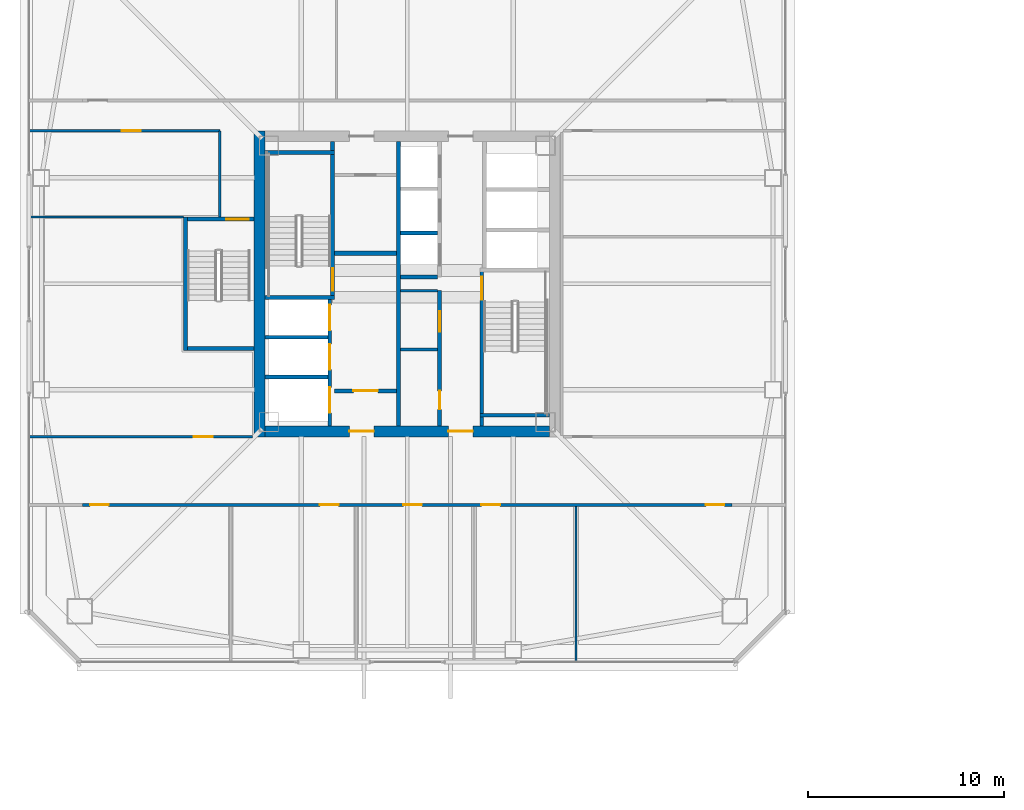
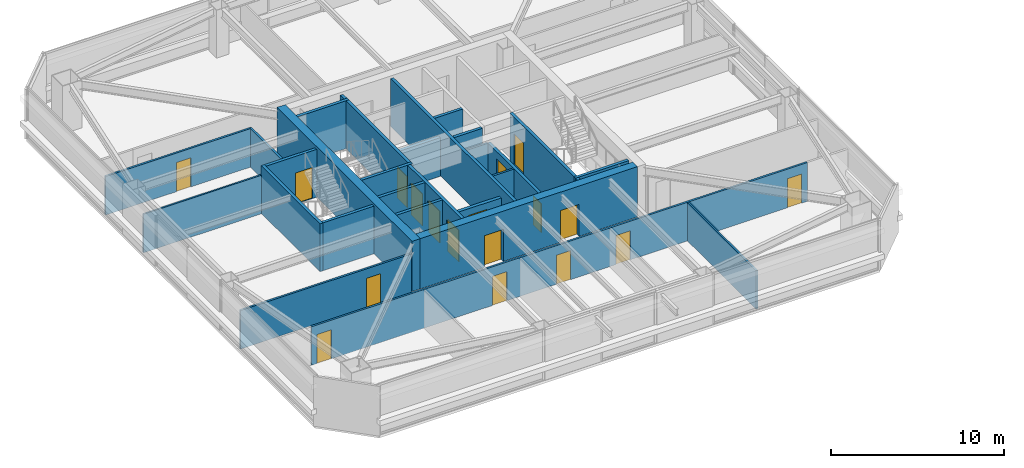
# One storey, part 32 of 42: 27 walls, 18 doors, 18 openings.
"""IFC4 building model written with IfcOpenShell, lengths in metres."""

from ifc_helpers import new_model, si_unit, direction, frame, frame_2d, origin, place, context, subcontext, project, spatial, rectangle, extrude, material, layer, layer_set, type_object, element, fill, save


model = new_model("IFC4")

# Units and contexts
model_context = context("Model", 3, precision=1e-05, world=origin(), true_north=direction((0.0, 1.0)))
body_context = subcontext(model_context, "Body", "Model", "MODEL_VIEW")
ifc_project = project(units=[si_unit("LENGTHUNIT", "METRE"), si_unit("AREAUNIT", "SQUARE_METRE"), si_unit("VOLUMEUNIT", "CUBIC_METRE"), si_unit("PLANEANGLEUNIT", "RADIAN"), si_unit("MASSUNIT", "GRAM", prefix="KILO")], contexts=[model_context])

# Site, building, storey
site_placement = place(None, origin())
site = spatial("IfcSite", under=ifc_project, at=site_placement, CompositionType="ELEMENT")
building_placement = place(site_placement, origin())
building = spatial("IfcBuilding", under=site, at=building_placement, Name="Tashvorn Skyway Center", CompositionType="ELEMENT")
storey_placement = place(building_placement, frame((0.0, 0.0, 121.5)))
storey = spatial("IfcBuildingStorey", under=building, at=storey_placement, Name="L32", CompositionType="ELEMENT", Elevation=121.5)

# Wall
ifc_material_1 = material(Name="Concrete C60/75", Category="concrete")
ifc_layer_1 = layer(ifc_material_1, 0.550048828125)
ifc_layer_set_1 = layer_set([ifc_layer_1], Name="Concrete C60/75")
wall_type_1 = type_object("IfcWallType", Name="WALL-CORE-550", PredefinedType="SHEAR", material=ifc_layer_set_1)
wall_1_placement = place(storey_placement, frame((34.47509765625, 24.199951171875, 0.0), z_axis=(0.0, 0.0, 1.0), x_axis=(0.0, 1.0, 0.0)))
element("IfcWall", 1, at=wall_1_placement, inside=storey, type_object=wall_type_1, Name="Tower 1 L32 West Core Shear Wall", PredefinedType="SHEAR", context=body_context, shape_type="SweptSolid", body=[
    extrude(rectangle(XDim=15.60009765625, YDim=0.550048828125, at=frame_2d((7.800048828125, 0.0))), origin(), (0.0, 0.0, 1.0), 3.550048828125),
])

# Wall, openings, doors
wall_2_placement = place(storey_placement, frame((49.25, 24.47509765625, 0.0), z_axis=(0.0, 0.0, 1.0), x_axis=(-1.0, 0.0, 0.0)))
wall_2 = element("IfcWall", 2, at=wall_2_placement, inside=storey, type_object=wall_type_1, Name="Tower 1 L32 South Core Shear Wall", PredefinedType="SHEAR", context=body_context, shape_type="SweptSolid", body=[
    extrude(rectangle(XDim=14.5, YDim=0.550048828125, at=frame_2d((7.25, 0.0))), origin(), (0.0, 0.0, 1.0), 3.550048828125),
])
opening_1_placement = place(wall_2_placement, frame((8.949951171875, 0.0, 0.0)))
opening_1 = element("IfcOpeningElement", 3, at=opening_1_placement, cuts=wall_2, Name="Opening D-FFL-1250", PredefinedType="OPENING", context=body_context, shape_type="SweptSolid", body=[
    extrude(rectangle(XDim=1.25, YDim=2.25, at=frame_2d((0.625, 1.125))), frame((0.0, 0.284912109375, 0.0), z_axis=(0.0, -1.0, 0.0), x_axis=(1.0, 0.0, 0.0)), (0.0, 0.0, 1.0), 0.570068359375),
])
opening_2_placement = place(wall_2_placement, frame((3.89990234375, 0.0, 0.0)))
opening_2 = element("IfcOpeningElement", 4, at=opening_2_placement, cuts=wall_2, Name="Opening D-FFL-1250", PredefinedType="OPENING", context=body_context, shape_type="SweptSolid", body=[
    extrude(rectangle(XDim=1.25, YDim=2.25, at=frame_2d((0.625, 1.125))), frame((0.0, 0.284912109375, 0.0), z_axis=(0.0, -1.0, 0.0), x_axis=(1.0, 0.0, 0.0)), (0.0, 0.0, 1.0), 0.570068359375),
])
ifc_material_2 = material(Name="Hollow galvanized steel fire door assembly", Category="steel")
door_type_1 = type_object("IfcDoorType", Name="DOOR-FFL-1250", OperationType="NOTDEFINED", PredefinedType="DOOR", material=ifc_material_2)
door_1_placement = place(opening_1_placement, origin())
door_1 = element("IfcDoor", 5, at=door_1_placement, inside=storey, type_object=door_type_1, Name="Tower 1 L32 Core South Firefighting Exit Door", OperationType="SINGLE_SWING_LEFT", OverallHeight=2.25, OverallWidth=1.25, PredefinedType="DOOR", context=body_context, shape_type="SweptSolid", body=[
    extrude(rectangle(XDim=1.25, YDim=2.25, at=frame_2d((0.625, 1.125))), frame((0.0, 0.02490234375, 0.0), z_axis=(0.0, -1.0, 0.0), x_axis=(1.0, 0.0, 0.0)), (0.0, 0.0, 1.0), 0.050048828125),
])
fill(opening_1, door_1)
door_2_placement = place(opening_2_placement, origin())
door_2 = element("IfcDoor", 6, at=door_2_placement, inside=storey, type_object=door_type_1, Name="Tower 1 L32 Core South Lift Lobby Door", OperationType="SINGLE_SWING_RIGHT", OverallHeight=2.25, OverallWidth=1.25, PredefinedType="DOOR", context=body_context, shape_type="SweptSolid", body=[
    extrude(rectangle(XDim=1.25, YDim=2.25, at=frame_2d((0.625, 1.125))), frame((0.0, 0.02490234375, 0.0), z_axis=(0.0, -1.0, 0.0), x_axis=(1.0, 0.0, 0.0)), (0.0, 0.0, 1.0), 0.050048828125),
])
fill(opening_2, door_2)

# Wall
ifc_material_3 = material(Name="Concrete C40/50", Category="concrete")
ifc_layer_2 = layer(ifc_material_3, 0.219970703125)
ifc_layer_set_2 = layer_set([ifc_layer_2], Name="Concrete C40/50")
wall_type_2 = type_object("IfcWallType", Name="WALL-FFL-220", PredefinedType="SOLIDWALL", material=ifc_layer_set_2)
wall_3_placement = place(storey_placement, frame((38.300048828125, 33.56005859375, 0.0), z_axis=(0.0, 0.0, 1.0), x_axis=(1.0, 0.0, 0.0)))
element("IfcWall", 7, at=wall_3_placement, inside=storey, type_object=wall_type_2, Name="Tower 1 L32 Firefighting Lobby North Wall", PredefinedType="SOLIDWALL", context=body_context, shape_type="SweptSolid", body=[
    extrude(rectangle(XDim=3.14990234375, YDim=0.219970703125, at=frame_2d((1.574951171875, 0.0))), origin(), (0.0, 0.0, 1.0), 2.722900390625),
])

# Wall, opening, door
wall_4_placement = place(storey_placement, frame((38.300048828125, 26.5400390625, 0.0), z_axis=(0.0, 0.0, 1.0), x_axis=(1.0, 0.0, 0.0)))
wall_4 = element("IfcWall", 8, at=wall_4_placement, inside=storey, type_object=wall_type_2, Name="Tower 1 L32 Firefighting Lobby South Wall", PredefinedType="SOLIDWALL", context=body_context, shape_type="SweptSolid", body=[
    extrude(rectangle(XDim=3.14990234375, YDim=0.219970703125, at=frame_2d((1.574951171875, 0.0))), origin(), (0.0, 0.0, 1.0), 2.722900390625),
])
opening_3_placement = place(wall_4_placement, frame((0.949951171875, 0.0, 0.0)))
opening_3 = element("IfcOpeningElement", 9, at=opening_3_placement, cuts=wall_4, Name="Opening D-FFL-1250", PredefinedType="OPENING", context=body_context, shape_type="SweptSolid", body=[
    extrude(rectangle(XDim=1.25, YDim=2.25, at=frame_2d((0.625, 1.125))), frame((0.0, 0.119873046875, 0.0), z_axis=(0.0, -1.0, 0.0), x_axis=(1.0, 0.0, 0.0)), (0.0, 0.0, 1.0), 0.239990234375),
])
door_3_placement = place(opening_3_placement, origin())
door_3 = element("IfcDoor", 10, at=door_3_placement, inside=storey, type_object=door_type_1, Name="Tower 1 L32 Firefighting Lobby Egress Door", OperationType="SINGLE_SWING_LEFT", OverallHeight=2.25, OverallWidth=1.25, PredefinedType="DOOR", context=body_context, shape_type="SweptSolid", body=[
    extrude(rectangle(XDim=1.25, YDim=2.25, at=frame_2d((0.625, 1.125))), frame((0.0, 0.02490234375, 0.0), z_axis=(0.0, -1.0, 0.0), x_axis=(1.0, 0.0, 0.0)), (0.0, 0.0, 1.0), 0.050048828125),
])
fill(opening_3, door_3)

# Walls
ifc_material_4 = material(Name="Gypsum board on cold-formed steel stud framing", Category="steel")
ifc_layer_3 = layer(ifc_material_4, 0.110107421875)
ifc_layer_set_3 = layer_set([ifc_layer_3], Name="Gypsum board on cold-formed steel stud framing")
wall_type_3 = type_object("IfcWallType", Name="WALL-PART-110", PredefinedType="PARTITIONING", material=ifc_layer_set_3)
wall_5_placement = place(storey_placement, frame((50.60009765625, 12.719970703125, 0.0), z_axis=(0.0, 0.0, 1.0), x_axis=(0.0, 1.0, 0.0)))
element("IfcWall", 11, at=wall_5_placement, inside=storey, type_object=wall_type_3, Name="Tower 1 L32 South Suite Partition 4", PredefinedType="PARTITIONING", context=body_context, shape_type="SweptSolid", body=[
    extrude(rectangle(XDim=7.929931640625, YDim=0.110107421875, at=frame_2d((3.96484375, 0.0))), origin(), (0.0, 0.0, 1.0), 2.722900390625),
])
wall_6_placement = place(storey_placement, frame((30.60009765625, 35.39990234375, 0.0), z_axis=(0.0, 0.0, 1.0), x_axis=(-1.0, 0.0, 0.0)))
element("IfcWall", 12, at=wall_6_placement, inside=storey, type_object=wall_type_3, Name="Tower 1 L32 West Suite Partition 1", PredefinedType="PARTITIONING", context=body_context, shape_type="SweptSolid", body=[
    extrude(rectangle(XDim=7.880126953125, YDim=0.110107421875, at=frame_2d((3.93994140625, 0.0))), origin(), (0.0, 0.0, 1.0), 2.722900390625),
])
ifc_layer_4 = layer(ifc_material_4, 0.135009765625)
ifc_layer_set_4 = layer_set([ifc_layer_4], Name="Gypsum board on cold-formed steel stud framing")
wall_type_4 = type_object("IfcWallType", Name="WALL-PART-135", PredefinedType="PARTITIONING", material=ifc_layer_set_4)
wall_7_placement = place(storey_placement, frame((32.449951171875, 35.39990234375, 0.0), z_axis=(0.0, 0.0, 1.0), x_axis=(0.0, 1.0, 0.0)))
element("IfcWall", 13, at=wall_7_placement, inside=storey, type_object=wall_type_4, Name="Tower 1 L32 Stair 3 Access Corridor Wall", PredefinedType="PARTITIONING", context=body_context, shape_type="SweptSolid", body=[
    extrude(rectangle(XDim=4.400146484375, YDim=0.135009765625, at=frame_2d((2.2001953125, 0.0))), origin(), (0.0, 0.0, 1.0), 2.722900390625),
])

# Wall, openings, doors
wall_8_placement = place(storey_placement, frame((58.550048828125, 20.72998046875, 0.0), z_axis=(0.0, 0.0, 1.0), x_axis=(-1.0, 0.0, 0.0)))
wall_8 = element("IfcWall", 14, at=wall_8_placement, inside=storey, type_object=wall_type_4, Name="Tower 1 L32 South Suite Wall", PredefinedType="PARTITIONING", context=body_context, shape_type="SweptSolid", body=[
    extrude(rectangle(XDim=33.10009765625, YDim=0.135009765625, at=frame_2d((16.550048828125, 0.0))), origin(), (0.0, 0.0, 1.0), 2.722900390625),
])
opening_4_placement = place(wall_8_placement, frame((31.77001953125, 0.0, 0.0)))
opening_4 = element("IfcOpeningElement", 15, at=opening_4_placement, cuts=wall_8, Name="Opening D-INT-950", PredefinedType="OPENING", context=body_context, shape_type="SweptSolid", body=[
    extrude(rectangle(XDim=0.949951171875, YDim=2.050048828125, at=frame_2d((0.47509765625, 1.02490234375))), frame((0.0, 0.077392578125, 0.0), z_axis=(0.0, -1.0, 0.0), x_axis=(1.0, 0.0, 0.0)), (0.0, 0.0, 1.0), 0.155029296875),
])
opening_5_placement = place(wall_8_placement, frame((20.051025390625, 0.0, 0.0)))
opening_5 = element("IfcOpeningElement", 16, at=opening_5_placement, cuts=wall_8, Name="Opening D-INT-950", PredefinedType="OPENING", context=body_context, shape_type="SweptSolid", body=[
    extrude(rectangle(XDim=0.949951171875, YDim=2.050048828125, at=frame_2d((0.47509765625, 1.02490234375))), frame((0.0, 0.077392578125, 0.0), z_axis=(0.0, -1.0, 0.0), x_axis=(1.0, 0.0, 0.0)), (0.0, 0.0, 1.0), 0.155029296875),
])
opening_6_placement = place(wall_8_placement, frame((15.80126953125, 0.0, 0.0)))
opening_6 = element("IfcOpeningElement", 17, at=opening_6_placement, cuts=wall_8, Name="Opening D-INT-950", PredefinedType="OPENING", context=body_context, shape_type="SweptSolid", body=[
    extrude(rectangle(XDim=0.949951171875, YDim=2.050048828125, at=frame_2d((0.47509765625, 1.02490234375))), frame((0.0, 0.077392578125, 0.0), z_axis=(0.0, -1.0, 0.0), x_axis=(1.0, 0.0, 0.0)), (0.0, 0.0, 1.0), 0.155029296875),
])
opening_7_placement = place(wall_8_placement, frame((11.820068359375, 0.0, 0.0)))
opening_7 = element("IfcOpeningElement", 18, at=opening_7_placement, cuts=wall_8, Name="Opening D-INT-950", PredefinedType="OPENING", context=body_context, shape_type="SweptSolid", body=[
    extrude(rectangle(XDim=0.949951171875, YDim=2.050048828125, at=frame_2d((0.47509765625, 1.02490234375))), frame((0.0, 0.077392578125, 0.0), z_axis=(0.0, -1.0, 0.0), x_axis=(1.0, 0.0, 0.0)), (0.0, 0.0, 1.0), 0.155029296875),
])
opening_8_placement = place(wall_8_placement, frame((0.3798828125, 0.0, 0.0)))
opening_8 = element("IfcOpeningElement", 19, at=opening_8_placement, cuts=wall_8, Name="Opening D-INT-950", PredefinedType="OPENING", context=body_context, shape_type="SweptSolid", body=[
    extrude(rectangle(XDim=0.949951171875, YDim=2.050048828125, at=frame_2d((0.47509765625, 1.02490234375))), frame((0.0, 0.077392578125, 0.0), z_axis=(0.0, -1.0, 0.0), x_axis=(1.0, 0.0, 0.0)), (0.0, 0.0, 1.0), 0.155029296875),
])
ifc_material_5 = material(Name="Solid-core architectural oak veneer door")
door_type_2 = type_object("IfcDoorType", Name="DOOR-INT-950", OperationType="NOTDEFINED", PredefinedType="DOOR", material=ifc_material_5)
door_4_placement = place(opening_4_placement, origin())
door_4 = element("IfcDoor", 20, at=door_4_placement, inside=storey, type_object=door_type_2, Name="Tower 1 L32 Executive Study Lounge Door", OperationType="SINGLE_SWING_LEFT", OverallHeight=2.050048828125, OverallWidth=0.949951171875, PredefinedType="DOOR", context=body_context, shape_type="SweptSolid", body=[
    extrude(rectangle(XDim=0.949951171875, YDim=2.050048828125, at=frame_2d((0.47509765625, 1.02490234375))), frame((0.0, 0.02490234375, 0.0), z_axis=(0.0, -1.0, 0.0), x_axis=(1.0, 0.0, 0.0)), (0.0, 0.0, 1.0), 0.050048828125),
])
fill(opening_4, door_4)
door_5_placement = place(opening_5_placement, origin())
door_5 = element("IfcDoor", 21, at=door_5_placement, inside=storey, type_object=door_type_2, Name="Tower 1 L32 Design Studio Door", OperationType="SINGLE_SWING_RIGHT", OverallHeight=2.050048828125, OverallWidth=0.949951171875, PredefinedType="DOOR", context=body_context, shape_type="SweptSolid", body=[
    extrude(rectangle(XDim=0.949951171875, YDim=2.050048828125, at=frame_2d((0.47509765625, 1.02490234375))), frame((0.0, 0.02490234375, 0.0), z_axis=(0.0, -1.0, 0.0), x_axis=(1.0, 0.0, 0.0)), (0.0, 0.0, 1.0), 0.050048828125),
])
fill(opening_5, door_5)
door_6_placement = place(opening_6_placement, origin())
door_6 = element("IfcDoor", 22, at=door_6_placement, inside=storey, type_object=door_type_2, Name="Tower 1 L32 Design Studio Door", OperationType="SINGLE_SWING_LEFT", OverallHeight=2.050048828125, OverallWidth=0.949951171875, PredefinedType="DOOR", context=body_context, shape_type="SweptSolid", body=[
    extrude(rectangle(XDim=0.949951171875, YDim=2.050048828125, at=frame_2d((0.47509765625, 1.02490234375))), frame((0.0, 0.02490234375, 0.0), z_axis=(0.0, -1.0, 0.0), x_axis=(1.0, 0.0, 0.0)), (0.0, 0.0, 1.0), 0.050048828125),
])
fill(opening_6, door_6)
door_7_placement = place(opening_7_placement, origin())
door_7 = element("IfcDoor", 23, at=door_7_placement, inside=storey, type_object=door_type_2, Name="Tower 1 L32 Reading Lounge Door", OperationType="SINGLE_SWING_RIGHT", OverallHeight=2.050048828125, OverallWidth=0.949951171875, PredefinedType="DOOR", context=body_context, shape_type="SweptSolid", body=[
    extrude(rectangle(XDim=0.949951171875, YDim=2.050048828125, at=frame_2d((0.47509765625, 1.02490234375))), frame((0.0, 0.02490234375, 0.0), z_axis=(0.0, -1.0, 0.0), x_axis=(1.0, 0.0, 0.0)), (0.0, 0.0, 1.0), 0.050048828125),
])
fill(opening_7, door_7)
door_8_placement = place(opening_8_placement, origin())
door_8 = element("IfcDoor", 24, at=door_8_placement, inside=storey, type_object=door_type_2, Name="Tower 1 L32 Open Plan Office Door", OperationType="SINGLE_SWING_LEFT", OverallHeight=2.050048828125, OverallWidth=0.949951171875, PredefinedType="DOOR", context=body_context, shape_type="SweptSolid", body=[
    extrude(rectangle(XDim=0.949951171875, YDim=2.050048828125, at=frame_2d((0.47509765625, 1.02490234375))), frame((0.0, 0.02490234375, 0.0), z_axis=(0.0, -1.0, 0.0), x_axis=(1.0, 0.0, 0.0)), (0.0, 0.0, 1.0), 0.050048828125),
])
fill(opening_8, door_8)

# Wall, opening, door
wall_9_placement = place(storey_placement, frame((32.449951171875, 39.800048828125, 0.0), z_axis=(0.0, 0.0, 1.0), x_axis=(-1.0, 0.0, 0.0)))
wall_9 = element("IfcWall", 25, at=wall_9_placement, inside=storey, type_object=wall_type_4, Name="Tower 1 L32 West Suite North Wall", PredefinedType="PARTITIONING", context=body_context, shape_type="SweptSolid", body=[
    extrude(rectangle(XDim=9.72998046875, YDim=0.135009765625, at=frame_2d((4.864990234375, 0.0))), origin(), (0.0, 0.0, 1.0), 2.722900390625),
])
opening_9_placement = place(wall_9_placement, frame((4.0400390625, 0.0, 0.0)))
opening_9 = element("IfcOpeningElement", 26, at=opening_9_placement, cuts=wall_9, Name="Opening D-INT-950", PredefinedType="OPENING", context=body_context, shape_type="SweptSolid", body=[
    extrude(rectangle(XDim=0.949951171875, YDim=2.050048828125, at=frame_2d((0.47509765625, 1.02490234375))), frame((0.0, 0.077392578125, 0.0), z_axis=(0.0, -1.0, 0.0), x_axis=(1.0, 0.0, 0.0)), (0.0, 0.0, 1.0), 0.155029296875),
])
door_9_placement = place(opening_9_placement, origin())
door_9 = element("IfcDoor", 27, at=door_9_placement, inside=storey, type_object=door_type_2, Name="Tower 1 L32 Reading Lounge Door", OperationType="SINGLE_SWING_RIGHT", OverallHeight=2.050048828125, OverallWidth=0.949951171875, PredefinedType="DOOR", context=body_context, shape_type="SweptSolid", body=[
    extrude(rectangle(XDim=0.949951171875, YDim=2.050048828125, at=frame_2d((0.47509765625, 1.02490234375))), frame((0.0, 0.02490234375, 0.0), z_axis=(0.0, -1.0, 0.0), x_axis=(1.0, 0.0, 0.0)), (0.0, 0.0, 1.0), 0.050048828125),
])
fill(opening_9, door_9)

wall_10_placement = place(storey_placement, frame((22.719970703125, 24.199951171875, 0.0), z_axis=(0.0, 0.0, 1.0), x_axis=(1.0, 0.0, 0.0)))
wall_10 = element("IfcWall", 28, at=wall_10_placement, inside=storey, type_object=wall_type_4, Name="Tower 1 L32 West Suite South Wall", PredefinedType="PARTITIONING", context=body_context, shape_type="SweptSolid", body=[
    extrude(rectangle(XDim=11.400146484375, YDim=0.135009765625, at=frame_2d((5.7001953125, 0.0))), origin(), (0.0, 0.0, 1.0), 2.722900390625),
])
opening_10_placement = place(wall_10_placement, frame((8.405029296875, 0.0, 0.0)))
opening_10 = element("IfcOpeningElement", 29, at=opening_10_placement, cuts=wall_10, Name="Opening D-INT-950", PredefinedType="OPENING", context=body_context, shape_type="SweptSolid", body=[
    extrude(rectangle(XDim=0.949951171875, YDim=2.050048828125, at=frame_2d((0.47509765625, 1.02490234375))), frame((0.0, 0.077392578125, 0.0), z_axis=(0.0, -1.0, 0.0), x_axis=(1.0, 0.0, 0.0)), (0.0, 0.0, 1.0), 0.155029296875),
])
door_10_placement = place(opening_10_placement, origin())
door_10 = element("IfcDoor", 30, at=door_10_placement, inside=storey, type_object=door_type_2, Name="Tower 1 L32 Public Restroom Door", OperationType="SINGLE_SWING_LEFT", OverallHeight=2.050048828125, OverallWidth=0.949951171875, PredefinedType="DOOR", context=body_context, shape_type="SweptSolid", body=[
    extrude(rectangle(XDim=0.949951171875, YDim=2.050048828125, at=frame_2d((0.47509765625, 1.02490234375))), frame((0.0, 0.02490234375, 0.0), z_axis=(0.0, -1.0, 0.0), x_axis=(1.0, 0.0, 0.0)), (0.0, 0.0, 1.0), 0.050048828125),
])
fill(opening_10, door_10)

# Walls
ifc_layer_5 = layer(ifc_material_4, 0.135009765625)
ifc_layer_set_5 = layer_set([ifc_layer_5], Name="Gypsum board on cold-formed steel stud framing")
wall_type_5 = type_object("IfcWallType", Name="WALL-RATED-135", PredefinedType="PARTITIONING", material=ifc_layer_set_5)
for number, where, z_axis, x_axis, name in (
    (31, (41.669921875, 31.64990234375, 0.0), (0.0, 0.0, 1.0), (1.0, 0.0, 0.0), "Tower 1 L32 Core Room Partition"),
    (32, (41.669921875, 28.64990234375, 0.0), (0.0, 0.0, 1.0), (1.0, 0.0, 0.0), "Tower 1 L32 Freed Core Partition"),
):
    element("IfcWall", number, at=place(storey_placement, frame(where, z_axis=z_axis, x_axis=x_axis)), inside=storey, type_object=wall_type_5, Name=name, PredefinedType="PARTITIONING", context=body_context, shape_type="SweptSolid", body=[
        extrude(rectangle(XDim=1.880126953125, YDim=0.135009765625, at=frame_2d((0.93994140625, 0.0))), origin(), (0.0, 0.0, 1.0), 2.722900390625),
    ])
ifc_layer_6 = layer(ifc_material_3, 0.199951171875)
ifc_layer_set_6 = layer_set([ifc_layer_6], Name="Concrete C40/50")
wall_type_6 = type_object("IfcWallType", Name="WALL-SHAFT-200", PredefinedType="SOLIDWALL", material=ifc_layer_set_6)
for number, where, z_axis, x_axis, name in (
    (33, (34.75, 27.25, 0.0), (0.0, 0.0, 1.0), (1.0, 0.0, 0.0), "Tower 1 L32 FSAE Shaft Divider"),
    (34, (34.75, 29.280029296875, 0.0), (0.0, 0.0, 1.0), (1.0, 0.0, 0.0), "Tower 1 L32 FSAE Shaft Divider"),
):
    element("IfcWall", number, at=place(storey_placement, frame(where, z_axis=z_axis, x_axis=x_axis)), inside=storey, type_object=wall_type_6, Name=name, PredefinedType="SOLIDWALL", context=body_context, shape_type="SweptSolid", body=[
        extrude(rectangle(XDim=3.199951171875, YDim=0.199951171875, at=frame_2d((1.60009765625, 0.0))), origin(), (0.0, 0.0, 1.0), 3.3701171875),
    ])

# Wall, openings, doors
wall_11_placement = place(storey_placement, frame((43.64990234375, 24.75, 0.0), z_axis=(0.0, 0.0, 1.0), x_axis=(0.0, 1.0, 0.0)))
wall_11 = element("IfcWall", 35, at=wall_11_placement, inside=storey, type_object=wall_type_6, Name="Tower 1 L32 Low-Rise Core Wall", PredefinedType="SOLIDWALL", context=body_context, shape_type="SweptSolid", body=[
    extrude(rectangle(XDim=6.89990234375, YDim=0.199951171875, at=frame_2d((3.449951171875, 0.0))), origin(), (0.0, 0.0, 1.0), 2.722900390625),
])
opening_11_placement = place(wall_11_placement, frame((0.85009765625, 0.0, 0.0)))
opening_11 = element("IfcOpeningElement", 36, at=opening_11_placement, cuts=wall_11, Name="Opening D-RT-950", PredefinedType="OPENING", context=body_context, shape_type="SweptSolid", body=[
    extrude(rectangle(XDim=0.949951171875, YDim=2.050048828125, at=frame_2d((0.47509765625, 1.02490234375))), frame((0.0, 0.10986328125, 0.0), z_axis=(0.0, -1.0, 0.0), x_axis=(1.0, 0.0, 0.0)), (0.0, 0.0, 1.0), 0.219970703125),
])
opening_12_placement = place(wall_11_placement, frame((4.800048828125, 0.0, 0.0)))
opening_12 = element("IfcOpeningElement", 37, at=opening_12_placement, cuts=wall_11, Name="Opening D-RT-1050", PredefinedType="OPENING", context=body_context, shape_type="SweptSolid", body=[
    extrude(rectangle(XDim=1.050048828125, YDim=2.199951171875, at=frame_2d((0.52490234375, 1.10009765625))), frame((0.0, 0.10986328125, 0.0), z_axis=(0.0, -1.0, 0.0), x_axis=(1.0, 0.0, 0.0)), (0.0, 0.0, 1.0), 0.219970703125),
])
door_type_3 = type_object("IfcDoorType", Name="DOOR-RATED-1050", OperationType="NOTDEFINED", PredefinedType="DOOR", material=ifc_material_2)
door_11_placement = place(opening_12_placement, origin())
door_11 = element("IfcDoor", 38, at=door_11_placement, inside=storey, type_object=door_type_3, Name="Tower 1 L32 Freed Core Room Door", OperationType="SINGLE_SWING_RIGHT", OverallHeight=2.199951171875, OverallWidth=1.050048828125, PredefinedType="DOOR", context=body_context, shape_type="SweptSolid", body=[
    extrude(rectangle(XDim=1.050048828125, YDim=2.199951171875, at=frame_2d((0.52490234375, 1.10009765625))), frame((0.0, 0.02490234375, 0.0), z_axis=(0.0, -1.0, 0.0), x_axis=(1.0, 0.0, 0.0)), (0.0, 0.0, 1.0), 0.050048828125),
])
fill(opening_12, door_11)
door_type_4 = type_object("IfcDoorType", Name="DOOR-RATED-950", OperationType="NOTDEFINED", PredefinedType="DOOR", material=ifc_material_2)
door_12_placement = place(opening_11_placement, origin())
door_12 = element("IfcDoor", 39, at=door_12_placement, inside=storey, type_object=door_type_4, Name="Tower 1 L32 Core Print Room Door", OperationType="SINGLE_SWING_LEFT", OverallHeight=2.050048828125, OverallWidth=0.949951171875, PredefinedType="DOOR", context=body_context, shape_type="SweptSolid", body=[
    extrude(rectangle(XDim=0.949951171875, YDim=2.050048828125, at=frame_2d((0.47509765625, 1.02490234375))), frame((0.0, 0.02490234375, 0.0), z_axis=(0.0, -1.0, 0.0), x_axis=(1.0, 0.0, 0.0)), (0.0, 0.0, 1.0), 0.050048828125),
])
fill(opening_11, door_12)

# Walls
for number, where, z_axis, x_axis, name in (
    (40, (41.669921875, 32.35009765625, 0.0), (0.0, 0.0, 1.0), (1.0, 0.0, 0.0), "Tower 1 L32 Mid-Rise Shaft Divider"),
    (41, (41.669921875, 34.60009765625, 0.0), (0.0, 0.0, 1.0), (1.0, 0.0, 0.0), "Tower 1 L32 Mid-Rise Shaft Divider"),
):
    element("IfcWall", number, at=place(storey_placement, frame(where, z_axis=z_axis, x_axis=x_axis)), inside=storey, type_object=wall_type_6, Name=name, PredefinedType="SOLIDWALL", context=body_context, shape_type="SweptSolid", body=[
        extrude(rectangle(XDim=1.880126953125, YDim=0.199951171875, at=frame_2d((0.93994140625, 0.0))), origin(), (0.0, 0.0, 1.0), 3.3701171875),
    ])

# Wall, opening, door
ifc_layer_7 = layer(ifc_material_3, 0.199951171875)
ifc_layer_set_7 = layer_set([ifc_layer_7], Name="Concrete C40/50")
wall_type_7 = type_object("IfcWallType", Name="WALL-STSHF-200", PredefinedType="SHEAR", material=ifc_layer_set_7)
wall_12_placement = place(storey_placement, frame((38.199951171875, 31.199951171875, 0.0), z_axis=(0.0, 0.0, 1.0), x_axis=(0.0, 1.0, 0.0)))
wall_12 = element("IfcWall", 42, at=wall_12_placement, inside=storey, type_object=wall_type_7, Name="Tower 1 L32 Stair 1 Enclosure Wall", PredefinedType="SHEAR", context=body_context, shape_type="SweptSolid", body=[
    extrude(rectangle(XDim=8.050048828125, YDim=0.199951171875, at=frame_2d((4.02490234375, 0.0))), origin(), (0.0, 0.0, 1.0), 3.3701171875),
])
opening_13_placement = place(wall_12_placement, frame((0.449951171875, 0.0, 0.0)))
opening_13 = element("IfcOpeningElement", 43, at=opening_13_placement, cuts=wall_12, Name="Opening D-ST-1150", PredefinedType="OPENING", context=body_context, shape_type="SweptSolid", body=[
    extrude(rectangle(XDim=1.14990234375, YDim=2.199951171875, at=frame_2d((0.574951171875, 1.10009765625))), frame((0.0, 0.10986328125, 0.0), z_axis=(0.0, -1.0, 0.0), x_axis=(1.0, 0.0, 0.0)), (0.0, 0.0, 1.0), 0.219970703125),
])
door_type_5 = type_object("IfcDoorType", Name="DOOR-STAIR-1150", OperationType="NOTDEFINED", PredefinedType="DOOR", material=ifc_material_2)
door_13_placement = place(opening_13_placement, origin())
door_13 = element("IfcDoor", 44, at=door_13_placement, inside=storey, type_object=door_type_5, Name="Tower 1 L32 Exit Stair 1 Door", OperationType="SINGLE_SWING_RIGHT", OverallHeight=2.199951171875, OverallWidth=1.14990234375, PredefinedType="DOOR", context=body_context, shape_type="SweptSolid", body=[
    extrude(rectangle(XDim=1.14990234375, YDim=2.199951171875, at=frame_2d((0.574951171875, 1.10009765625))), frame((0.0, 0.02490234375, 0.0), z_axis=(0.0, -1.0, 0.0), x_axis=(1.0, 0.0, 0.0)), (0.0, 0.0, 1.0), 0.050048828125),
])
fill(opening_13, door_13)

# Walls
for number, where, z_axis, x_axis, name in (
    (45, (34.75, 31.300048828125, 0.0), (0.0, 0.0, 1.0), (1.0, 0.0, 0.0), "Tower 1 L32 Stair 1 South Wall"),
    (46, (34.75, 38.699951171875, 0.0), (0.0, 0.0, 1.0), (1.0, 0.0, 0.0), "Tower 1 L32 Stair 1 North Wall"),
):
    element("IfcWall", number, at=place(storey_placement, frame(where, z_axis=z_axis, x_axis=x_axis)), inside=storey, type_object=wall_type_7, Name=name, PredefinedType="SHEAR", context=body_context, shape_type="SweptSolid", body=[
        extrude(rectangle(XDim=3.550048828125, YDim=0.199951171875, at=frame_2d((1.77490234375, 0.0))), origin(), (0.0, 0.0, 1.0), 3.3701171875),
    ])

# Wall, opening, door
wall_13_placement = place(storey_placement, frame((45.800048828125, 32.800048828125, 0.0), z_axis=(0.0, 0.0, 1.0), x_axis=(0.0, -1.0, 0.0)))
wall_13 = element("IfcWall", 47, at=wall_13_placement, inside=storey, type_object=wall_type_7, Name="Tower 1 L32 Stair 2 Enclosure Wall", PredefinedType="SHEAR", context=body_context, shape_type="SweptSolid", body=[
    extrude(rectangle(XDim=8.050048828125, YDim=0.199951171875, at=frame_2d((4.02490234375, 0.0))), origin(), (0.0, 0.0, 1.0), 3.3701171875),
])
opening_14_placement = place(wall_13_placement, frame((0.449951171875, 0.0, 0.0)))
opening_14 = element("IfcOpeningElement", 48, at=opening_14_placement, cuts=wall_13, Name="Opening D-ST-1150", PredefinedType="OPENING", context=body_context, shape_type="SweptSolid", body=[
    extrude(rectangle(XDim=1.14990234375, YDim=2.199951171875, at=frame_2d((0.574951171875, 1.10009765625))), frame((0.0, 0.10986328125, 0.0), z_axis=(0.0, -1.0, 0.0), x_axis=(1.0, 0.0, 0.0)), (0.0, 0.0, 1.0), 0.219970703125),
])
door_14_placement = place(opening_14_placement, origin())
door_14 = element("IfcDoor", 49, at=door_14_placement, inside=storey, type_object=door_type_5, Name="Tower 1 L32 Exit Stair 2 Door", OperationType="SINGLE_SWING_RIGHT", OverallHeight=2.199951171875, OverallWidth=1.14990234375, PredefinedType="DOOR", context=body_context, shape_type="SweptSolid", body=[
    extrude(rectangle(XDim=1.14990234375, YDim=2.199951171875, at=frame_2d((0.574951171875, 1.10009765625))), frame((0.0, 0.02490234375, 0.0), z_axis=(0.0, -1.0, 0.0), x_axis=(1.0, 0.0, 0.0)), (0.0, 0.0, 1.0), 0.050048828125),
])
fill(opening_14, door_14)

# Walls
wall_14_placement = place(storey_placement, frame((45.699951171875, 25.300048828125, 0.0), z_axis=(0.0, 0.0, 1.0), x_axis=(1.0, 0.0, 0.0)))
element("IfcWall", 50, at=wall_14_placement, inside=storey, type_object=wall_type_7, Name="Tower 1 L32 Stair 2 South Wall", PredefinedType="SHEAR", context=body_context, shape_type="SweptSolid", body=[
    extrude(rectangle(XDim=3.550048828125, YDim=0.199951171875, at=frame_2d((1.77490234375, 0.0))), origin(), (0.0, 0.0, 1.0), 3.3701171875),
])
wall_15_placement = place(storey_placement, frame((41.56005859375, 24.75, 0.0), z_axis=(0.0, 0.0, 1.0), x_axis=(0.0, 1.0, 0.0)))
element("IfcWall", 51, at=wall_15_placement, inside=storey, type_object=wall_type_7, Name="Tower 1 L32 Firefighting Lobby East Smoke Barrier", PredefinedType="SHEAR", context=body_context, shape_type="SweptSolid", body=[
    extrude(rectangle(XDim=14.5, YDim=0.199951171875, at=frame_2d((7.25, 0.0))), origin(), (0.0, 0.0, 1.0), 3.3701171875),
])

# Wall, openings, doors
wall_16_placement = place(storey_placement, frame((38.050048828125, 24.75, 0.0), z_axis=(0.0, 0.0, 1.0), x_axis=(0.0, 1.0, 0.0)))
wall_16 = element("IfcWall", 52, at=wall_16_placement, inside=storey, type_object=wall_type_7, Name="Tower 1 L32 FSAE and Goods Shaft Front Wall", PredefinedType="SHEAR", context=body_context, shape_type="SweptSolid", body=[
    extrude(rectangle(XDim=6.449951171875, YDim=0.199951171875, at=frame_2d((3.22509765625, 0.0))), origin(), (0.0, 0.0, 1.0), 3.3701171875),
])
opening_15_placement = place(wall_16_placement, frame((4.875, 0.0, 0.0)))
opening_15 = element("IfcOpeningElement", 53, at=opening_15_placement, cuts=wall_16, Name="Opening LD-FF-T1-1-L32", PredefinedType="OPENING", context=body_context, shape_type="SweptSolid", body=[
    extrude(rectangle(XDim=1.300048828125, YDim=2.25, at=frame_2d((0.64990234375, 1.125))), frame((0.0, 0.10986328125, 0.0), z_axis=(0.0, -1.0, 0.0), x_axis=(1.0, 0.0, 0.0)), (0.0, 0.0, 1.0), 0.219970703125),
])
opening_16_placement = place(wall_16_placement, frame((2.875, 0.0, 0.0)))
opening_16 = element("IfcOpeningElement", 54, at=opening_16_placement, cuts=wall_16, Name="Opening LD-FF-T1-2-L32", PredefinedType="OPENING", context=body_context, shape_type="SweptSolid", body=[
    extrude(rectangle(XDim=1.300048828125, YDim=2.25, at=frame_2d((0.64990234375, 1.125))), frame((0.0, 0.10986328125, 0.0), z_axis=(0.0, -1.0, 0.0), x_axis=(1.0, 0.0, 0.0)), (0.0, 0.0, 1.0), 0.219970703125),
])
opening_17_placement = place(wall_16_placement, frame((0.675048828125, 0.0, 0.0)))
opening_17 = element("IfcOpeningElement", 55, at=opening_17_placement, cuts=wall_16, Name="Opening LD-GD-T1-1-L32", PredefinedType="OPENING", context=body_context, shape_type="SweptSolid", body=[
    extrude(rectangle(XDim=1.300048828125, YDim=2.25, at=frame_2d((0.64990234375, 1.125))), frame((0.0, 0.10986328125, 0.0), z_axis=(0.0, -1.0, 0.0), x_axis=(1.0, 0.0, 0.0)), (0.0, 0.0, 1.0), 0.219970703125),
])
ifc_material_6 = material(Name="Stainless steel heavy-duty landing door", Category="steel")
door_type_6 = type_object("IfcDoorType", Name="DOOR-LIFT-1300", OperationType="SLIDING_TO_LEFT", PredefinedType="DOOR", material=ifc_material_6)
door_15_placement = place(opening_15_placement, origin())
door_15 = element("IfcDoor", 56, at=door_15_placement, inside=storey, type_object=door_type_6, Name="Lift FF-T1-1 L32 Landing Door", OperationType="SLIDING_TO_LEFT", OverallHeight=2.25, OverallWidth=1.300048828125, PredefinedType="DOOR", context=body_context, shape_type="SweptSolid", body=[
    extrude(rectangle(XDim=1.300048828125, YDim=2.25, at=frame_2d((0.64990234375, 1.125))), frame((0.0, 0.02490234375, 0.0), z_axis=(0.0, -1.0, 0.0), x_axis=(1.0, 0.0, 0.0)), (0.0, 0.0, 1.0), 0.050048828125),
])
fill(opening_15, door_15)
door_16_placement = place(opening_16_placement, origin())
door_16 = element("IfcDoor", 57, at=door_16_placement, inside=storey, type_object=door_type_6, Name="Lift FF-T1-2 L32 Landing Door", OperationType="SLIDING_TO_LEFT", OverallHeight=2.25, OverallWidth=1.300048828125, PredefinedType="DOOR", context=body_context, shape_type="SweptSolid", body=[
    extrude(rectangle(XDim=1.300048828125, YDim=2.25, at=frame_2d((0.64990234375, 1.125))), frame((0.0, 0.02490234375, 0.0), z_axis=(0.0, -1.0, 0.0), x_axis=(1.0, 0.0, 0.0)), (0.0, 0.0, 1.0), 0.050048828125),
])
fill(opening_16, door_16)
door_17_placement = place(opening_17_placement, origin())
door_17 = element("IfcDoor", 58, at=door_17_placement, inside=storey, type_object=door_type_6, Name="Lift GD-T1-1 L32 Landing Door", OperationType="SLIDING_TO_LEFT", OverallHeight=2.25, OverallWidth=1.300048828125, PredefinedType="DOOR", context=body_context, shape_type="SweptSolid", body=[
    extrude(rectangle(XDim=1.300048828125, YDim=2.25, at=frame_2d((0.64990234375, 1.125))), frame((0.0, 0.02490234375, 0.0), z_axis=(0.0, -1.0, 0.0), x_axis=(1.0, 0.0, 0.0)), (0.0, 0.0, 1.0), 0.050048828125),
])
fill(opening_17, door_17)

# Wall
wall_17_placement = place(storey_placement, frame((30.699951171875, 28.60009765625, 0.0), z_axis=(0.0, 0.0, 1.0), x_axis=(0.0, 1.0, 0.0)))
element("IfcWall", 59, at=wall_17_placement, inside=storey, type_object=wall_type_7, Name="Tower 1 L32 Stair 3 Outer Wall", PredefinedType="SHEAR", context=body_context, shape_type="SweptSolid", body=[
    extrude(rectangle(XDim=6.7998046875, YDim=0.199951171875, at=frame_2d((3.39990234375, 0.0))), origin(), (0.0, 0.0, 1.0), 3.3701171875),
])

# Wall, opening, door
wall_18_placement = place(storey_placement, frame((34.199951171875, 35.300048828125, 0.0), z_axis=(0.0, 0.0, 1.0), x_axis=(-1.0, 0.0, 0.0)))
wall_18 = element("IfcWall", 60, at=wall_18_placement, inside=storey, type_object=wall_type_7, Name="Tower 1 L32 Stair 3 Enclosure Wall", PredefinedType="SHEAR", context=body_context, shape_type="SweptSolid", body=[
    extrude(rectangle(XDim=3.39990234375, YDim=0.199951171875, at=frame_2d((1.699951171875, 0.0))), origin(), (0.0, 0.0, 1.0), 3.3701171875),
])
opening_18_placement = place(wall_18_placement, frame((0.27490234375, 0.0, 0.0)))
opening_18 = element("IfcOpeningElement", 61, at=opening_18_placement, cuts=wall_18, Name="Opening D-ST-1150", PredefinedType="OPENING", context=body_context, shape_type="SweptSolid", body=[
    extrude(rectangle(XDim=1.14990234375, YDim=2.199951171875, at=frame_2d((0.574951171875, 1.10009765625))), frame((0.0, 0.10986328125, 0.0), z_axis=(0.0, -1.0, 0.0), x_axis=(1.0, 0.0, 0.0)), (0.0, 0.0, 1.0), 0.219970703125),
])
door_18_placement = place(opening_18_placement, origin())
door_18 = element("IfcDoor", 62, at=door_18_placement, inside=storey, type_object=door_type_5, Name="Tower 1 L32 Exit Stair 3 Door", OperationType="SINGLE_SWING_RIGHT", OverallHeight=2.199951171875, OverallWidth=1.14990234375, PredefinedType="DOOR", context=body_context, shape_type="SweptSolid", body=[
    extrude(rectangle(XDim=1.14990234375, YDim=2.199951171875, at=frame_2d((0.574951171875, 1.10009765625))), frame((0.0, 0.02490234375, 0.0), z_axis=(0.0, -1.0, 0.0), x_axis=(1.0, 0.0, 0.0)), (0.0, 0.0, 1.0), 0.050048828125),
])
fill(opening_18, door_18)

# Wall
wall_19_placement = place(storey_placement, frame((30.800048828125, 28.699951171875, 0.0), z_axis=(0.0, 0.0, 1.0), x_axis=(1.0, 0.0, 0.0)))
element("IfcWall", 63, at=wall_19_placement, inside=storey, type_object=wall_type_7, Name="Tower 1 L32 Stair 3 South Wall", PredefinedType="SHEAR", context=body_context, shape_type="SweptSolid", body=[
    extrude(rectangle(XDim=3.39990234375, YDim=0.199951171875, at=frame_2d((1.699951171875, 0.0))), origin(), (0.0, 0.0, 1.0), 3.3701171875),
])

save(model, "model.ifc")
